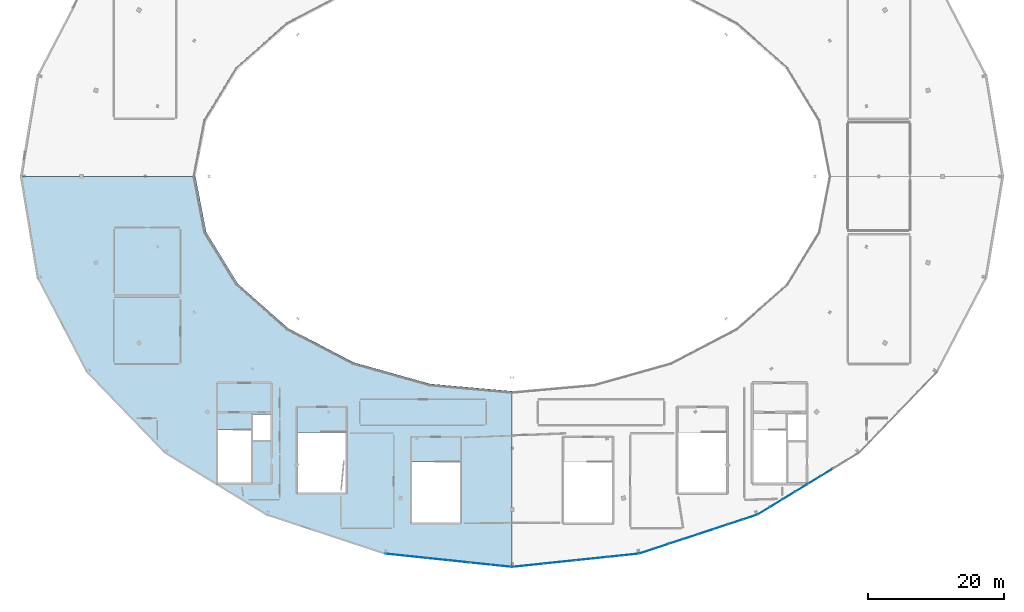
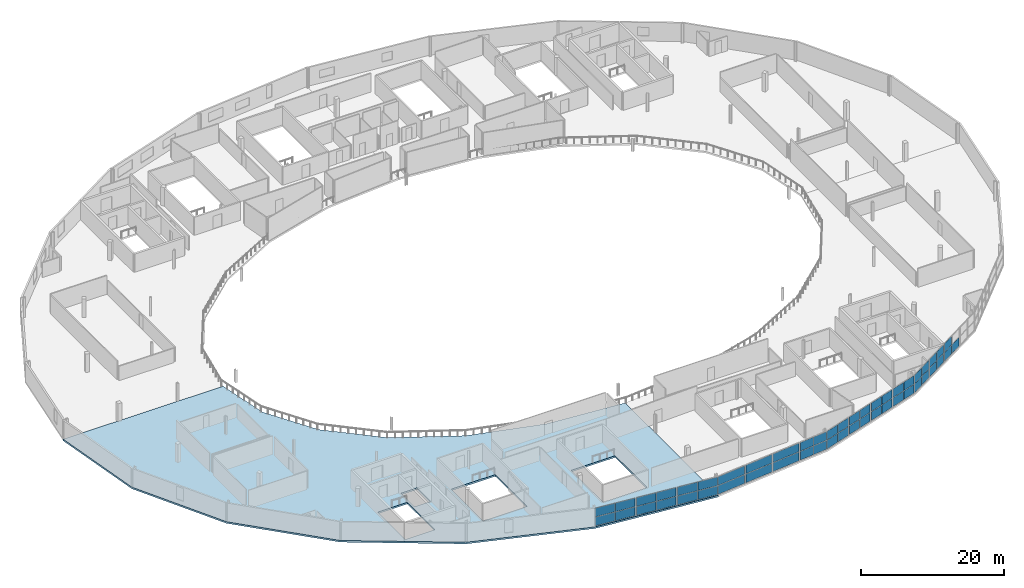
# One storey, part 22 of 35: 49 plates, 1 slab, 14 elements without a shape of their own.
"""IFC4 building model written with IfcOpenShell, lengths in metres."""

from ifc_helpers import new_model, si_unit, direction, frame, origin, origin_2d, place, context, subcontext, project, spatial, polyline, rectangle, outline, extrude, material, layer, layer_set, type_object, element, aggregate, save


model = new_model("IFC4")

# Units and contexts
model_context = context("Model", 3, precision=1e-05, world=origin(), true_north=direction((0.0, 1.0)))
body_context = subcontext(model_context, "Body", "Model", "MODEL_VIEW")
ifc_project = project(units=[si_unit("LENGTHUNIT", "METRE"), si_unit("AREAUNIT", "SQUARE_METRE"), si_unit("VOLUMEUNIT", "CUBIC_METRE"), si_unit("PLANEANGLEUNIT", "RADIAN"), si_unit("MASSUNIT", "GRAM", prefix="KILO")], contexts=[model_context])

# Site, building, storey
site_placement = place(None, origin())
site = spatial("IfcSite", under=ifc_project, at=site_placement, CompositionType="ELEMENT")
building_placement = place(site_placement, origin())
building = spatial("IfcBuilding", under=site, at=building_placement, Name="Kalgoora Escarpment Arena", CompositionType="ELEMENT")
storey_placement = place(building_placement, frame((0.0, 0.0, 23.39990234375)))
storey = spatial("IfcBuildingStorey", under=building, at=storey_placement, Name="L05", CompositionType="ELEMENT", Elevation=23.39990234375)

# Curtain wall, plates
ifc_material_1 = material(Name=" Champagne anodised aluminium & double-glazed low-E", Category="aluminium")
ifc_layer_1 = layer(ifc_material_1, 0.14990234375)
ifc_layer_set_1 = layer_set([ifc_layer_1], Name="CW-UNIT-05")
curtain_wall_type_1 = type_object("IfcCurtainWallType", Name="CW-UNIT-05", PredefinedType="NOTDEFINED", material=ifc_layer_set_1)
curtain_wall_1_placement = place(storey_placement, origin())
curtain_wall_1 = element("IfcCurtainWall", 1, at=curtain_wall_1_placement, inside=storey, type_object=curtain_wall_type_1, Name="L05 unitised facade curtain wall 184", PredefinedType="NOTDEFINED")
ifc_material_2 = material(Name="Low-E double-glazed insulated glass", Category="glass")
ifc_layer_2 = layer(ifc_material_2, 0.028076171875)
ifc_layer_set_2 = layer_set([ifc_layer_2], Name="PLT-CW-GLAZ-28")
plate_type_1 = type_object("IfcPlateType", Name="PLT-CW-GLAZ-28", PredefinedType="CURTAIN_PANEL", material=ifc_layer_set_2)
plate_1_placement = place(storey_placement, frame((134.9599609375, 18.14013671875, 0.080078125), z_axis=(0.0, 0.0, 1.0), x_axis=(-0.853527069701, -0.521048501858, 0.0)))
plate_1 = element("IfcPlate", 2, at=plate_1_placement, type_object=plate_type_1, Name="CW-05 panel 1.1", PredefinedType="CURTAIN_PANEL", context=body_context, shape_type="SweptSolid", body=[
    extrude(rectangle(XDim=2.028564453125, YDim=0.028076171875, at=origin_2d()), origin(), (0.0, 0.0, 1.0), 1.47998046875),
])
plate_2_placement = place(storey_placement, frame((134.9599609375, 18.14013671875, 1.6201171875), z_axis=(0.0, 0.0, 1.0), x_axis=(-0.853527069701, -0.521048501858, 0.0)))
plate_2 = element("IfcPlate", 3, at=plate_2_placement, type_object=plate_type_1, Name="CW-05 panel 1.2", PredefinedType="CURTAIN_PANEL", context=body_context, shape_type="SweptSolid", body=[
    extrude(rectangle(XDim=2.028564453125, YDim=0.028076171875, at=origin_2d()), origin(), (0.0, 0.0, 1.0), 1.4599609375),
])
plate_3_placement = place(storey_placement, frame((133.173095703125, 17.04931640625, 0.080078125), z_axis=(0.0, 0.0, 1.0), x_axis=(-0.853527069701, -0.521048501858, 0.0)))
plate_3 = element("IfcPlate", 4, at=plate_3_placement, type_object=plate_type_1, Name="CW-05 panel 2.1", PredefinedType="CURTAIN_PANEL", context=body_context, shape_type="SweptSolid", body=[
    extrude(rectangle(XDim=2.028564453125, YDim=0.028076171875, at=origin_2d()), origin(), (0.0, 0.0, 1.0), 1.47998046875),
])
plate_4_placement = place(storey_placement, frame((133.173095703125, 17.04931640625, 1.6201171875), z_axis=(0.0, 0.0, 1.0), x_axis=(-0.853527069701, -0.521048501858, 0.0)))
plate_4 = element("IfcPlate", 5, at=plate_4_placement, type_object=plate_type_1, Name="CW-05 panel 2.2", PredefinedType="CURTAIN_PANEL", context=body_context, shape_type="SweptSolid", body=[
    extrude(rectangle(XDim=2.028564453125, YDim=0.028076171875, at=origin_2d()), origin(), (0.0, 0.0, 1.0), 1.4599609375),
])
aggregate(curtain_wall_1, [plate_1, plate_2, plate_3, plate_4])

ifc_material_3 = material(Name=" Champagne anodised aluminium & double-glazed low-E", Category="aluminium")
ifc_layer_3 = layer(ifc_material_3, 0.157958984375)
ifc_layer_set_3 = layer_set([ifc_layer_3], Name="CW-UNIT-07")
curtain_wall_type_2 = type_object("IfcCurtainWallType", Name="CW-UNIT-07", PredefinedType="NOTDEFINED", material=ifc_layer_set_3)
curtain_wall_2_placement = place(storey_placement, origin())
curtain_wall_2 = element("IfcCurtainWall", 6, at=curtain_wall_2_placement, inside=storey, type_object=curtain_wall_type_2, Name="L05 unitised facade curtain wall 186", PredefinedType="NOTDEFINED")
plate_5_placement = place(storey_placement, frame((127.467529296875, 13.8701171875, 0.080078125), z_axis=(0.0, 0.0, 1.0), x_axis=(-0.949757785191, -0.312985861452, 0.0)))
plate_5 = element("IfcPlate", 7, at=plate_5_placement, type_object=plate_type_1, Name="CW-07 panel 1.1", PredefinedType="CURTAIN_PANEL", context=body_context, shape_type="SweptSolid", body=[
    extrude(rectangle(XDim=2.175537109375, YDim=0.028076171875, at=origin_2d()), origin(), (0.0, 0.0, 1.0), 1.47998046875),
])
plate_6_placement = place(storey_placement, frame((127.467529296875, 13.8701171875, 1.6201171875), z_axis=(0.0, 0.0, 1.0), x_axis=(-0.949757785191, -0.312985861452, 0.0)))
plate_6 = element("IfcPlate", 8, at=plate_6_placement, type_object=plate_type_1, Name="CW-07 panel 1.2", PredefinedType="CURTAIN_PANEL", context=body_context, shape_type="SweptSolid", body=[
    extrude(rectangle(XDim=2.175537109375, YDim=0.028076171875, at=origin_2d()), origin(), (0.0, 0.0, 1.0), 1.4599609375),
])
plate_7_placement = place(storey_placement, frame((125.339599609375, 13.168701171875, 0.080078125), z_axis=(0.0, 0.0, 1.0), x_axis=(-0.949757785191, -0.312985861452, 0.0)))
plate_7 = element("IfcPlate", 9, at=plate_7_placement, type_object=plate_type_1, Name="CW-07 panel 2.1", PredefinedType="CURTAIN_PANEL", context=body_context, shape_type="SweptSolid", body=[
    extrude(rectangle(XDim=2.175537109375, YDim=0.028076171875, at=origin_2d()), origin(), (0.0, 0.0, 1.0), 1.47998046875),
])
plate_8_placement = place(storey_placement, frame((125.339599609375, 13.168701171875, 1.6201171875), z_axis=(0.0, 0.0, 1.0), x_axis=(-0.949757785191, -0.312985861452, 0.0)))
plate_8 = element("IfcPlate", 10, at=plate_8_placement, type_object=plate_type_1, Name="CW-07 panel 2.2", PredefinedType="CURTAIN_PANEL", context=body_context, shape_type="SweptSolid", body=[
    extrude(rectangle(XDim=2.175537109375, YDim=0.028076171875, at=origin_2d()), origin(), (0.0, 0.0, 1.0), 1.4599609375),
])
aggregate(curtain_wall_2, [plate_5, plate_6, plate_7, plate_8])

ifc_material_4 = material(Name=" Champagne anodised aluminium & double-glazed low-E", Category="aluminium")
ifc_layer_4 = layer(ifc_material_4, 0.166015625)
ifc_layer_set_4 = layer_set([ifc_layer_4], Name="CW-UNIT-09")
curtain_wall_type_3 = type_object("IfcCurtainWallType", Name="CW-UNIT-09", PredefinedType="NOTDEFINED", material=ifc_layer_set_4)
curtain_wall_3_placement = place(storey_placement, origin())
curtain_wall_3 = element("IfcCurtainWall", 11, at=curtain_wall_3_placement, inside=storey, type_object=curtain_wall_type_3, Name="L05 unitised facade curtain wall 188", PredefinedType="NOTDEFINED")
plate_9_placement = place(storey_placement, frame((118.701171875, 10.981201171875, 0.080078125), z_axis=(0.0, 0.0, 1.0), x_axis=(-0.949763052265, -0.312969878028, 0.0)))
plate_9 = element("IfcPlate", 12, at=plate_9_placement, type_object=plate_type_1, Name="CW-09 panel 1.1", PredefinedType="CURTAIN_PANEL", context=body_context, shape_type="SweptSolid", body=[
    extrude(rectangle(XDim=2.150634765625, YDim=0.028076171875, at=origin_2d()), origin(), (0.0, 0.0, 1.0), 1.47998046875),
])
plate_10_placement = place(storey_placement, frame((118.701171875, 10.981201171875, 1.6201171875), z_axis=(0.0, 0.0, 1.0), x_axis=(-0.949763052265, -0.312969878028, 0.0)))
plate_10 = element("IfcPlate", 13, at=plate_10_placement, type_object=plate_type_1, Name="CW-09 panel 1.2", PredefinedType="CURTAIN_PANEL", context=body_context, shape_type="SweptSolid", body=[
    extrude(rectangle(XDim=2.150634765625, YDim=0.028076171875, at=origin_2d()), origin(), (0.0, 0.0, 1.0), 1.4599609375),
])
plate_11_placement = place(storey_placement, frame((116.596923828125, 10.287841796875, 0.080078125), z_axis=(0.0, 0.0, 1.0), x_axis=(-0.949763052265, -0.312969878028, 0.0)))
plate_11 = element("IfcPlate", 14, at=plate_11_placement, type_object=plate_type_1, Name="CW-09 panel 2.1", PredefinedType="CURTAIN_PANEL", context=body_context, shape_type="SweptSolid", body=[
    extrude(rectangle(XDim=2.150634765625, YDim=0.028076171875, at=origin_2d()), origin(), (0.0, 0.0, 1.0), 1.47998046875),
])
plate_12_placement = place(storey_placement, frame((116.596923828125, 10.287841796875, 1.6201171875), z_axis=(0.0, 0.0, 1.0), x_axis=(-0.949763052265, -0.312969878028, 0.0)))
plate_12 = element("IfcPlate", 15, at=plate_12_placement, type_object=plate_type_1, Name="CW-09 panel 2.2", PredefinedType="CURTAIN_PANEL", context=body_context, shape_type="SweptSolid", body=[
    extrude(rectangle(XDim=2.150634765625, YDim=0.028076171875, at=origin_2d()), origin(), (0.0, 0.0, 1.0), 1.4599609375),
])
aggregate(curtain_wall_3, [plate_9, plate_10, plate_11, plate_12])

ifc_material_5 = material(Name=" Champagne anodised aluminium & double-glazed low-E", Category="aluminium")
ifc_layer_5 = layer(ifc_material_5, 0.154052734375)
ifc_layer_set_5 = layer_set([ifc_layer_5], Name="CW-UNIT-11")
curtain_wall_type_4 = type_object("IfcCurtainWallType", Name="CW-UNIT-11", PredefinedType="NOTDEFINED", material=ifc_layer_set_5)
curtain_wall_4_placement = place(storey_placement, origin())
curtain_wall_4 = element("IfcCurtainWall", 16, at=curtain_wall_4_placement, inside=storey, type_object=curtain_wall_type_4, Name="L05 unitised facade curtain wall 190", PredefinedType="NOTDEFINED")
plate_13_placement = place(storey_placement, frame((109.952392578125, 8.359130859375, 0.0751953125), z_axis=(0.0, 0.0, 1.0), x_axis=(-0.994560810247, -0.10415754759, 0.0)))
plate_13 = element("IfcPlate", 17, at=plate_13_placement, type_object=plate_type_1, Name="CW-11 panel 1.1", PredefinedType="CURTAIN_PANEL", context=body_context, shape_type="SweptSolid", body=[
    extrude(rectangle(XDim=2.240234375, YDim=0.028076171875, at=origin_2d()), origin(), (0.0, 0.0, 1.0), 1.487548828125),
])
plate_14_placement = place(storey_placement, frame((109.952392578125, 8.359130859375, 1.61767578125), z_axis=(0.0, 0.0, 1.0), x_axis=(-0.994560810247, -0.10415754759, 0.0)))
plate_14 = element("IfcPlate", 18, at=plate_14_placement, type_object=plate_type_1, Name="CW-11 panel 1.2", PredefinedType="CURTAIN_PANEL", context=body_context, shape_type="SweptSolid", body=[
    extrude(rectangle(XDim=2.240234375, YDim=0.028076171875, at=origin_2d()), origin(), (0.0, 0.0, 1.0), 1.467529296875),
])
plate_15_placement = place(storey_placement, frame((107.664794921875, 8.11962890625, 0.0751953125), z_axis=(0.0, 0.0, 1.0), x_axis=(-0.994560810247, -0.10415754759, 0.0)))
plate_15 = element("IfcPlate", 19, at=plate_15_placement, type_object=plate_type_1, Name="CW-11 panel 2.1", PredefinedType="CURTAIN_PANEL", context=body_context, shape_type="SweptSolid", body=[
    extrude(rectangle(XDim=2.240234375, YDim=0.028076171875, at=origin_2d()), origin(), (0.0, 0.0, 1.0), 1.487548828125),
])
plate_16_placement = place(storey_placement, frame((107.664794921875, 8.11962890625, 1.61767578125), z_axis=(0.0, 0.0, 1.0), x_axis=(-0.994560810247, -0.10415754759, 0.0)))
plate_16 = element("IfcPlate", 20, at=plate_16_placement, type_object=plate_type_1, Name="CW-11 panel 2.2", PredefinedType="CURTAIN_PANEL", context=body_context, shape_type="SweptSolid", body=[
    extrude(rectangle(XDim=2.240234375, YDim=0.028076171875, at=origin_2d()), origin(), (0.0, 0.0, 1.0), 1.467529296875),
])
aggregate(curtain_wall_4, [plate_13, plate_14, plate_15, plate_16])

ifc_material_6 = material(Name=" Champagne anodised aluminium & double-glazed low-E", Category="aluminium")
ifc_layer_6 = layer(ifc_material_6, 0.162109375)
ifc_layer_set_6 = layer_set([ifc_layer_6], Name="CW-UNIT-13")
curtain_wall_type_5 = type_object("IfcCurtainWallType", Name="CW-UNIT-13", PredefinedType="NOTDEFINED", material=ifc_layer_set_6)
curtain_wall_5_placement = place(storey_placement, origin())
curtain_wall_5 = element("IfcCurtainWall", 21, at=curtain_wall_5_placement, inside=storey, type_object=curtain_wall_type_5, Name="L05 unitised facade curtain wall 192", PredefinedType="NOTDEFINED")
plate_17_placement = place(storey_placement, frame((99.41455078125, 7.25537109375, 0.0751953125), z_axis=(0.0, 0.0, 1.0), x_axis=(-0.994558216596, -0.104182310405, 0.0)))
plate_17 = element("IfcPlate", 22, at=plate_17_placement, type_object=plate_type_1, Name="CW-13 panel 1.1", PredefinedType="CURTAIN_PANEL", context=body_context, shape_type="SweptSolid", body=[
    extrude(rectangle(XDim=4.490234375, YDim=0.028076171875, at=origin_2d()), origin(), (0.0, 0.0, 1.0), 1.487548828125),
])
plate_18_placement = place(storey_placement, frame((99.41455078125, 7.25537109375, 1.61767578125), z_axis=(0.0, 0.0, 1.0), x_axis=(-0.994558216596, -0.104182310405, 0.0)))
plate_18 = element("IfcPlate", 23, at=plate_18_placement, type_object=plate_type_1, Name="CW-13 panel 1.2", PredefinedType="CURTAIN_PANEL", context=body_context, shape_type="SweptSolid", body=[
    extrude(rectangle(XDim=4.490234375, YDim=0.028076171875, at=origin_2d()), origin(), (0.0, 0.0, 1.0), 1.467529296875),
])
aggregate(curtain_wall_5, [plate_17, plate_18])

ifc_material_7 = material(Name=" Champagne anodised aluminium & double-glazed low-E", Category="aluminium")
ifc_layer_7 = layer(ifc_material_7, 0.14990234375)
ifc_layer_set_7 = layer_set([ifc_layer_7], Name="CW-UNIT-15")
curtain_wall_type_6 = type_object("IfcCurtainWallType", Name="CW-UNIT-15", PredefinedType="NOTDEFINED", material=ifc_layer_set_7)
curtain_wall_6_placement = place(storey_placement, origin())
curtain_wall_6 = element("IfcCurtainWall", 24, at=curtain_wall_6_placement, inside=storey, type_object=curtain_wall_type_6, Name="L05 unitised facade curtain wall 194", PredefinedType="NOTDEFINED")
plate_19_placement = place(storey_placement, frame((90.848388671875, 6.68310546875, 0.0751953125), z_axis=(0.0, 0.0, 1.0), x_axis=(-0.994558008069, 0.104184301056, 0.0)))
plate_19 = element("IfcPlate", 25, at=plate_19_placement, type_object=plate_type_1, Name="CW-15 panel 1.1", PredefinedType="CURTAIN_PANEL", context=body_context, shape_type="SweptSolid", body=[
    extrude(rectangle(XDim=3.025146484375, YDim=0.028076171875, at=origin_2d()), origin(), (0.0, 0.0, 1.0), 1.487548828125),
])
plate_20_placement = place(storey_placement, frame((90.848388671875, 6.68310546875, 1.61767578125), z_axis=(0.0, 0.0, 1.0), x_axis=(-0.994558008069, 0.104184301056, 0.0)))
plate_20 = element("IfcPlate", 26, at=plate_20_placement, type_object=plate_type_1, Name="CW-15 panel 1.2", PredefinedType="CURTAIN_PANEL", context=body_context, shape_type="SweptSolid", body=[
    extrude(rectangle(XDim=3.025146484375, YDim=0.028076171875, at=origin_2d()), origin(), (0.0, 0.0, 1.0), 1.467529296875),
])
plate_21_placement = place(storey_placement, frame((87.780029296875, 7.004638671875, 0.0751953125), z_axis=(0.0, 0.0, 1.0), x_axis=(-0.994558008069, 0.104184301056, 0.0)))
plate_21 = element("IfcPlate", 27, at=plate_21_placement, type_object=plate_type_1, Name="CW-15 panel 2.1", PredefinedType="CURTAIN_PANEL", context=body_context, shape_type="SweptSolid", body=[
    extrude(rectangle(XDim=3.025146484375, YDim=0.028076171875, at=origin_2d()), origin(), (0.0, 0.0, 1.0), 1.487548828125),
])
plate_22_placement = place(storey_placement, frame((87.780029296875, 7.004638671875, 1.61767578125), z_axis=(0.0, 0.0, 1.0), x_axis=(-0.994558008069, 0.104184301056, 0.0)))
plate_22 = element("IfcPlate", 28, at=plate_22_placement, type_object=plate_type_1, Name="CW-15 panel 2.2", PredefinedType="CURTAIN_PANEL", context=body_context, shape_type="SweptSolid", body=[
    extrude(rectangle(XDim=3.025146484375, YDim=0.028076171875, at=origin_2d()), origin(), (0.0, 0.0, 1.0), 1.467529296875),
])
aggregate(curtain_wall_6, [plate_19, plate_20, plate_21, plate_22])

ifc_material_8 = material(Name=" Champagne anodised aluminium & double-glazed low-E", Category="aluminium")
ifc_layer_8 = layer(ifc_material_8, 0.157958984375)
ifc_layer_set_8 = layer_set([ifc_layer_8], Name="CW-UNIT-17")
curtain_wall_type_7 = type_object("IfcCurtainWallType", Name="CW-UNIT-17", PredefinedType="NOTDEFINED", material=ifc_layer_set_8)
curtain_wall_7_placement = place(storey_placement, origin())
curtain_wall_7 = element("IfcCurtainWall", 29, at=curtain_wall_7_placement, inside=storey, type_object=curtain_wall_type_7, Name="L05 unitised facade curtain wall 196", PredefinedType="NOTDEFINED")
plate_23_placement = place(storey_placement, frame((78.306396484375, 7.996826171875, 0.0751953125), z_axis=(0.0, 0.0, 1.0), x_axis=(-0.994559671064, 0.104168424645, 0.0)))
plate_23 = element("IfcPlate", 30, at=plate_23_placement, type_object=plate_type_1, Name="CW-17 panel 1.1", PredefinedType="CURTAIN_PANEL", context=body_context, shape_type="SweptSolid", body=[
    extrude(rectangle(XDim=3.025146484375, YDim=0.028076171875, at=origin_2d()), origin(), (0.0, 0.0, 1.0), 1.487548828125),
])
plate_24_placement = place(storey_placement, frame((78.306396484375, 7.996826171875, 1.61767578125), z_axis=(0.0, 0.0, 1.0), x_axis=(-0.994559671064, 0.104168424645, 0.0)))
plate_24 = element("IfcPlate", 31, at=plate_24_placement, type_object=plate_type_1, Name="CW-17 panel 1.2", PredefinedType="CURTAIN_PANEL", context=body_context, shape_type="SweptSolid", body=[
    extrude(rectangle(XDim=3.025146484375, YDim=0.028076171875, at=origin_2d()), origin(), (0.0, 0.0, 1.0), 1.467529296875),
])
plate_25_placement = place(storey_placement, frame((75.238037109375, 8.318115234375, 0.0751953125), z_axis=(0.0, 0.0, 1.0), x_axis=(-0.994559671064, 0.104168424645, 0.0)))
plate_25 = element("IfcPlate", 32, at=plate_25_placement, type_object=plate_type_1, Name="CW-17 panel 2.1", PredefinedType="CURTAIN_PANEL", context=body_context, shape_type="SweptSolid", body=[
    extrude(rectangle(XDim=3.025146484375, YDim=0.028076171875, at=origin_2d()), origin(), (0.0, 0.0, 1.0), 1.487548828125),
])
plate_26_placement = place(storey_placement, frame((75.238037109375, 8.318115234375, 1.61767578125), z_axis=(0.0, 0.0, 1.0), x_axis=(-0.994559671064, 0.104168424645, 0.0)))
plate_26 = element("IfcPlate", 33, at=plate_26_placement, type_object=plate_type_1, Name="CW-17 panel 2.2", PredefinedType="CURTAIN_PANEL", context=body_context, shape_type="SweptSolid", body=[
    extrude(rectangle(XDim=3.025146484375, YDim=0.028076171875, at=origin_2d()), origin(), (0.0, 0.0, 1.0), 1.467529296875),
])
aggregate(curtain_wall_7, [plate_23, plate_24, plate_25, plate_26])

ifc_material_9 = material(Name=" Champagne anodised aluminium & double-glazed low-E", Category="aluminium")
ifc_layer_9 = layer(ifc_material_9, 0.166015625)
ifc_layer_set_9 = layer_set([ifc_layer_9], Name="CW-UNIT-04")
curtain_wall_type_8 = type_object("IfcCurtainWallType", Name="CW-UNIT-04", PredefinedType="NOTDEFINED", material=ifc_layer_set_9)
curtain_wall_8_placement = place(storey_placement, origin())
curtain_wall_8 = element("IfcCurtainWall", 34, at=curtain_wall_8_placement, inside=storey, type_object=curtain_wall_type_8, Name="L05 unitised facade curtain wall 183", PredefinedType="NOTDEFINED")
ifc_material_10 = material(Name="Acoustic laminated solar-control glass", Category="glass")
ifc_layer_10 = layer(ifc_material_10, 0.033935546875)
ifc_layer_set_10 = layer_set([ifc_layer_10], Name="PLT-CW-GLAZ-34")
plate_type_2 = type_object("IfcPlateType", Name="PLT-CW-GLAZ-34", PredefinedType="CURTAIN_PANEL", material=ifc_layer_set_10)
plate_27_placement = place(storey_placement, frame((138.739501953125, 20.447509765625, 0.080078125), z_axis=(0.0, 0.0, 1.0), x_axis=(-0.853516077733, -0.52106650732, 0.0)))
plate_27 = element("IfcPlate", 35, at=plate_27_placement, type_object=plate_type_2, Name="CW-04 panel 1.1", PredefinedType="CURTAIN_PANEL", context=body_context, shape_type="SweptSolid", body=[
    extrude(rectangle(XDim=2.10205078125, YDim=0.033935546875, at=origin_2d()), origin(), (0.0, 0.0, 1.0), 1.47998046875),
])
plate_28_placement = place(storey_placement, frame((136.889892578125, 19.318359375, 0.080078125), z_axis=(0.0, 0.0, 1.0), x_axis=(-0.853516077733, -0.52106650732, 0.0)))
plate_28 = element("IfcPlate", 36, at=plate_28_placement, type_object=plate_type_2, Name="CW-04 panel 2.1", PredefinedType="CURTAIN_PANEL", context=body_context, shape_type="SweptSolid", body=[
    extrude(rectangle(XDim=2.10205078125, YDim=0.033935546875, at=origin_2d()), origin(), (0.0, 0.0, 1.0), 1.47998046875),
])
plate_29_placement = place(storey_placement, frame((136.889892578125, 19.318359375, 1.6201171875), z_axis=(0.0, 0.0, 1.0), x_axis=(-0.853516077733, -0.52106650732, 0.0)))
plate_29 = element("IfcPlate", 37, at=plate_29_placement, type_object=plate_type_2, Name="CW-04 panel 2.2", PredefinedType="CURTAIN_PANEL", context=body_context, shape_type="SweptSolid", body=[
    extrude(rectangle(XDim=2.10205078125, YDim=0.033935546875, at=origin_2d()), origin(), (0.0, 0.0, 1.0), 1.4599609375),
])
aggregate(curtain_wall_8, [plate_27, plate_28, plate_29])

ifc_material_11 = material(Name=" Champagne anodised aluminium & double-glazed low-E", Category="aluminium")
ifc_layer_11 = layer(ifc_material_11, 0.154052734375)
ifc_layer_set_11 = layer_set([ifc_layer_11], Name="CW-UNIT-06")
curtain_wall_type_9 = type_object("IfcCurtainWallType", Name="CW-UNIT-06", PredefinedType="NOTDEFINED", material=ifc_layer_set_11)
curtain_wall_9_placement = place(storey_placement, origin())
curtain_wall_9 = element("IfcCurtainWall", 38, at=curtain_wall_9_placement, inside=storey, type_object=curtain_wall_type_9, Name="L05 unitised facade curtain wall 185", PredefinedType="NOTDEFINED")
plate_30_placement = place(storey_placement, frame((131.245361328125, 15.87255859375, 0.080078125), z_axis=(0.0, 0.0, 1.0), x_axis=(-0.853520684485, -0.521058961304, 0.0)))
plate_30 = element("IfcPlate", 39, at=plate_30_placement, type_object=plate_type_2, Name="CW-06 panel 1.1", PredefinedType="CURTAIN_PANEL", context=body_context, shape_type="SweptSolid", body=[
    extrude(rectangle(XDim=2.028564453125, YDim=0.033935546875, at=origin_2d()), origin(), (0.0, 0.0, 1.0), 1.47998046875),
])
plate_31_placement = place(storey_placement, frame((131.245361328125, 15.87255859375, 1.6201171875), z_axis=(0.0, 0.0, 1.0), x_axis=(-0.853520684485, -0.521058961304, 0.0)))
plate_31 = element("IfcPlate", 40, at=plate_31_placement, type_object=plate_type_2, Name="CW-06 panel 1.2", PredefinedType="CURTAIN_PANEL", context=body_context, shape_type="SweptSolid", body=[
    extrude(rectangle(XDim=2.028564453125, YDim=0.033935546875, at=origin_2d()), origin(), (0.0, 0.0, 1.0), 1.4599609375),
])
plate_32_placement = place(storey_placement, frame((129.458740234375, 14.78173828125, 0.080078125), z_axis=(0.0, 0.0, 1.0), x_axis=(-0.853520684485, -0.521058961304, 0.0)))
plate_32 = element("IfcPlate", 41, at=plate_32_placement, type_object=plate_type_2, Name="CW-06 panel 2.1", PredefinedType="CURTAIN_PANEL", context=body_context, shape_type="SweptSolid", body=[
    extrude(rectangle(XDim=2.028564453125, YDim=0.033935546875, at=origin_2d()), origin(), (0.0, 0.0, 1.0), 1.47998046875),
])
plate_33_placement = place(storey_placement, frame((129.458740234375, 14.78173828125, 1.6201171875), z_axis=(0.0, 0.0, 1.0), x_axis=(-0.853520684485, -0.521058961304, 0.0)))
plate_33 = element("IfcPlate", 42, at=plate_33_placement, type_object=plate_type_2, Name="CW-06 panel 2.2", PredefinedType="CURTAIN_PANEL", context=body_context, shape_type="SweptSolid", body=[
    extrude(rectangle(XDim=2.028564453125, YDim=0.033935546875, at=origin_2d()), origin(), (0.0, 0.0, 1.0), 1.4599609375),
])
aggregate(curtain_wall_9, [plate_30, plate_31, plate_32, plate_33])

ifc_material_12 = material(Name=" Champagne anodised aluminium & double-glazed low-E", Category="aluminium")
ifc_layer_12 = layer(ifc_material_12, 0.162109375)
ifc_layer_set_12 = layer_set([ifc_layer_12], Name="CW-UNIT-08")
curtain_wall_type_10 = type_object("IfcCurtainWallType", Name="CW-UNIT-08", PredefinedType="NOTDEFINED", material=ifc_layer_set_12)
curtain_wall_10_placement = place(storey_placement, origin())
curtain_wall_10 = element("IfcCurtainWall", 43, at=curtain_wall_10_placement, inside=storey, type_object=curtain_wall_type_10, Name="L05 unitised facade curtain wall 187", PredefinedType="NOTDEFINED")
plate_34_placement = place(storey_placement, frame((123.066650390625, 12.419677734375, 0.080078125), z_axis=(0.0, 0.0, 1.0), x_axis=(-0.94975644114, -0.312989939956, 0.0)))
plate_34 = element("IfcPlate", 44, at=plate_34_placement, type_object=plate_type_2, Name="CW-08 panel 1.1", PredefinedType="CURTAIN_PANEL", context=body_context, shape_type="SweptSolid", body=[
    extrude(rectangle(XDim=2.150634765625, YDim=0.033935546875, at=origin_2d()), origin(), (0.0, 0.0, 1.0), 1.47998046875),
])
plate_35_placement = place(storey_placement, frame((123.066650390625, 12.419677734375, 1.6201171875), z_axis=(0.0, 0.0, 1.0), x_axis=(-0.94975644114, -0.312989939956, 0.0)))
plate_35 = element("IfcPlate", 45, at=plate_35_placement, type_object=plate_type_2, Name="CW-08 panel 1.2", PredefinedType="CURTAIN_PANEL", context=body_context, shape_type="SweptSolid", body=[
    extrude(rectangle(XDim=2.150634765625, YDim=0.033935546875, at=origin_2d()), origin(), (0.0, 0.0, 1.0), 1.4599609375),
])
plate_36_placement = place(storey_placement, frame((120.962158203125, 11.726318359375, 0.080078125), z_axis=(0.0, 0.0, 1.0), x_axis=(-0.94975644114, -0.312989939956, 0.0)))
plate_36 = element("IfcPlate", 46, at=plate_36_placement, type_object=plate_type_2, Name="CW-08 panel 2.1", PredefinedType="CURTAIN_PANEL", context=body_context, shape_type="SweptSolid", body=[
    extrude(rectangle(XDim=2.150634765625, YDim=0.033935546875, at=origin_2d()), origin(), (0.0, 0.0, 1.0), 1.47998046875),
])
plate_37_placement = place(storey_placement, frame((120.962158203125, 11.726318359375, 1.6201171875), z_axis=(0.0, 0.0, 1.0), x_axis=(-0.94975644114, -0.312989939956, 0.0)))
plate_37 = element("IfcPlate", 47, at=plate_37_placement, type_object=plate_type_2, Name="CW-08 panel 2.2", PredefinedType="CURTAIN_PANEL", context=body_context, shape_type="SweptSolid", body=[
    extrude(rectangle(XDim=2.150634765625, YDim=0.033935546875, at=origin_2d()), origin(), (0.0, 0.0, 1.0), 1.4599609375),
])
aggregate(curtain_wall_10, [plate_34, plate_35, plate_36, plate_37])

ifc_material_13 = material(Name=" Champagne anodised aluminium & double-glazed low-E", Category="aluminium")
ifc_layer_13 = layer(ifc_material_13, 0.14990234375)
ifc_layer_set_13 = layer_set([ifc_layer_13], Name="CW-UNIT-10")
curtain_wall_type_11 = type_object("IfcCurtainWallType", Name="CW-UNIT-10", PredefinedType="NOTDEFINED", material=ifc_layer_set_13)
curtain_wall_11_placement = place(storey_placement, origin())
curtain_wall_11 = element("IfcCurtainWall", 48, at=curtain_wall_11_placement, inside=storey, type_object=curtain_wall_type_11, Name="L05 unitised facade curtain wall 189", PredefinedType="NOTDEFINED")
plate_38_placement = place(storey_placement, frame((114.323974609375, 9.538818359375, 0.080078125), z_axis=(0.0, 0.0, 1.0), x_axis=(-0.949759939888, -0.312979322933, 0.0)))
plate_38 = element("IfcPlate", 49, at=plate_38_placement, type_object=plate_type_2, Name="CW-10 panel 1.1", PredefinedType="CURTAIN_PANEL", context=body_context, shape_type="SweptSolid", body=[
    extrude(rectangle(XDim=2.175537109375, YDim=0.033935546875, at=origin_2d()), origin(), (0.0, 0.0, 1.0), 1.47998046875),
])
plate_39_placement = place(storey_placement, frame((114.323974609375, 9.538818359375, 1.6201171875), z_axis=(0.0, 0.0, 1.0), x_axis=(-0.949759939888, -0.312979322933, 0.0)))
plate_39 = element("IfcPlate", 50, at=plate_39_placement, type_object=plate_type_2, Name="CW-10 panel 1.2", PredefinedType="CURTAIN_PANEL", context=body_context, shape_type="SweptSolid", body=[
    extrude(rectangle(XDim=2.175537109375, YDim=0.033935546875, at=origin_2d()), origin(), (0.0, 0.0, 1.0), 1.4599609375),
])
plate_40_placement = place(storey_placement, frame((112.19580078125, 8.83740234375, 0.080078125), z_axis=(0.0, 0.0, 1.0), x_axis=(-0.949759939888, -0.312979322933, 0.0)))
plate_40 = element("IfcPlate", 51, at=plate_40_placement, type_object=plate_type_2, Name="CW-10 panel 2.1", PredefinedType="CURTAIN_PANEL", context=body_context, shape_type="SweptSolid", body=[
    extrude(rectangle(XDim=2.175537109375, YDim=0.033935546875, at=origin_2d()), origin(), (0.0, 0.0, 1.0), 1.47998046875),
])
plate_41_placement = place(storey_placement, frame((112.19580078125, 8.83740234375, 1.6201171875), z_axis=(0.0, 0.0, 1.0), x_axis=(-0.949759939888, -0.312979322933, 0.0)))
plate_41 = element("IfcPlate", 52, at=plate_41_placement, type_object=plate_type_2, Name="CW-10 panel 2.2", PredefinedType="CURTAIN_PANEL", context=body_context, shape_type="SweptSolid", body=[
    extrude(rectangle(XDim=2.175537109375, YDim=0.033935546875, at=origin_2d()), origin(), (0.0, 0.0, 1.0), 1.4599609375),
])
aggregate(curtain_wall_11, [plate_38, plate_39, plate_40, plate_41])

ifc_material_14 = material(Name=" Champagne anodised aluminium & double-glazed low-E", Category="aluminium")
ifc_layer_14 = layer(ifc_material_14, 0.157958984375)
ifc_layer_set_14 = layer_set([ifc_layer_14], Name="CW-UNIT-12")
curtain_wall_type_12 = type_object("IfcCurtainWallType", Name="CW-UNIT-12", PredefinedType="NOTDEFINED", material=ifc_layer_set_14)
curtain_wall_12_placement = place(storey_placement, origin())
curtain_wall_12 = element("IfcCurtainWall", 53, at=curtain_wall_12_placement, inside=storey, type_object=curtain_wall_type_12, Name="L05 unitised facade curtain wall 191", PredefinedType="NOTDEFINED")
plate_42_placement = place(storey_placement, frame((104.09912109375, 7.74609375, 0.0751953125), z_axis=(0.0, 0.0, 1.0), x_axis=(-0.994558216596, -0.104182310405, 0.0)))
plate_42 = element("IfcPlate", 54, at=plate_42_placement, type_object=plate_type_2, Name="CW-12 panel 1.1", PredefinedType="CURTAIN_PANEL", context=body_context, shape_type="SweptSolid", body=[
    extrude(rectangle(XDim=4.490234375, YDim=0.033935546875, at=origin_2d()), origin(), (0.0, 0.0, 1.0), 1.487548828125),
])
plate_43_placement = place(storey_placement, frame((104.09912109375, 7.74609375, 1.61767578125), z_axis=(0.0, 0.0, 1.0), x_axis=(-0.994558216596, -0.104182310405, 0.0)))
plate_43 = element("IfcPlate", 55, at=plate_43_placement, type_object=plate_type_2, Name="CW-12 panel 1.2", PredefinedType="CURTAIN_PANEL", context=body_context, shape_type="SweptSolid", body=[
    extrude(rectangle(XDim=4.490234375, YDim=0.033935546875, at=origin_2d()), origin(), (0.0, 0.0, 1.0), 1.467529296875),
])
aggregate(curtain_wall_12, [plate_42, plate_43])

ifc_material_15 = material(Name=" Champagne anodised aluminium & double-glazed low-E", Category="aluminium")
ifc_layer_15 = layer(ifc_material_15, 0.166015625)
ifc_layer_set_15 = layer_set([ifc_layer_15], Name="CW-UNIT-14")
curtain_wall_type_13 = type_object("IfcCurtainWallType", Name="CW-UNIT-14", PredefinedType="NOTDEFINED", material=ifc_layer_set_15)
curtain_wall_13_placement = place(storey_placement, origin())
curtain_wall_13 = element("IfcCurtainWall", 56, at=curtain_wall_13_placement, inside=storey, type_object=curtain_wall_type_13, Name="L05 unitised facade curtain wall 193", PredefinedType="NOTDEFINED")
plate_44_placement = place(storey_placement, frame((94.704833984375, 6.761962890625, 0.0751953125), z_axis=(0.0, 0.0, 1.0), x_axis=(-0.994558587162, -0.104178772797, 0.0)))
plate_44 = element("IfcPlate", 57, at=plate_44_placement, type_object=plate_type_2, Name="CW-14 panel 1.1", PredefinedType="CURTAIN_PANEL", context=body_context, shape_type="SweptSolid", body=[
    extrude(rectangle(XDim=4.540283203125, YDim=0.033935546875, at=origin_2d()), origin(), (0.0, 0.0, 1.0), 1.487548828125),
])
plate_45_placement = place(storey_placement, frame((94.704833984375, 6.761962890625, 1.61767578125), z_axis=(0.0, 0.0, 1.0), x_axis=(-0.994558587162, -0.104178772797, 0.0)))
plate_45 = element("IfcPlate", 58, at=plate_45_placement, type_object=plate_type_2, Name="CW-14 panel 1.2", PredefinedType="CURTAIN_PANEL", context=body_context, shape_type="SweptSolid", body=[
    extrude(rectangle(XDim=4.540283203125, YDim=0.033935546875, at=origin_2d()), origin(), (0.0, 0.0, 1.0), 1.467529296875),
])
aggregate(curtain_wall_13, [plate_44, plate_45])

ifc_material_16 = material(Name=" Champagne anodised aluminium & double-glazed low-E", Category="aluminium")
ifc_layer_16 = layer(ifc_material_16, 0.154052734375)
ifc_layer_set_16 = layer_set([ifc_layer_16], Name="CW-UNIT-16")
curtain_wall_type_14 = type_object("IfcCurtainWallType", Name="CW-UNIT-16", PredefinedType="NOTDEFINED", material=ifc_layer_set_16)
curtain_wall_14_placement = place(storey_placement, origin())
curtain_wall_14 = element("IfcCurtainWall", 59, at=curtain_wall_14_placement, inside=storey, type_object=curtain_wall_type_14, Name="L05 unitised facade curtain wall 195", PredefinedType="NOTDEFINED")
plate_46_placement = place(storey_placement, frame((84.56494140625, 7.34130859375, 0.0751953125), z_axis=(0.0, 0.0, 1.0), x_axis=(-0.994559579029, 0.104169303359, 0.0)))
plate_46 = element("IfcPlate", 60, at=plate_46_placement, type_object=plate_type_2, Name="CW-16 panel 1.1", PredefinedType="CURTAIN_PANEL", context=body_context, shape_type="SweptSolid", body=[
    extrude(rectangle(XDim=3.000244140625, YDim=0.033935546875, at=origin_2d()), origin(), (0.0, 0.0, 1.0), 1.487548828125),
])
plate_47_placement = place(storey_placement, frame((84.56494140625, 7.34130859375, 1.61767578125), z_axis=(0.0, 0.0, 1.0), x_axis=(-0.994559579029, 0.104169303359, 0.0)))
plate_47 = element("IfcPlate", 61, at=plate_47_placement, type_object=plate_type_2, Name="CW-16 panel 1.2", PredefinedType="CURTAIN_PANEL", context=body_context, shape_type="SweptSolid", body=[
    extrude(rectangle(XDim=3.000244140625, YDim=0.033935546875, at=origin_2d()), origin(), (0.0, 0.0, 1.0), 1.467529296875),
])
plate_48_placement = place(storey_placement, frame((81.521484375, 7.66015625, 0.0751953125), z_axis=(0.0, 0.0, 1.0), x_axis=(-0.994559579029, 0.104169303359, 0.0)))
plate_48 = element("IfcPlate", 62, at=plate_48_placement, type_object=plate_type_2, Name="CW-16 panel 2.1", PredefinedType="CURTAIN_PANEL", context=body_context, shape_type="SweptSolid", body=[
    extrude(rectangle(XDim=3.000244140625, YDim=0.033935546875, at=origin_2d()), origin(), (0.0, 0.0, 1.0), 1.487548828125),
])
plate_49_placement = place(storey_placement, frame((81.521484375, 7.66015625, 1.61767578125), z_axis=(0.0, 0.0, 1.0), x_axis=(-0.994559579029, 0.104169303359, 0.0)))
plate_49 = element("IfcPlate", 63, at=plate_49_placement, type_object=plate_type_2, Name="CW-16 panel 2.2", PredefinedType="CURTAIN_PANEL", context=body_context, shape_type="SweptSolid", body=[
    extrude(rectangle(XDim=3.000244140625, YDim=0.033935546875, at=origin_2d()), origin(), (0.0, 0.0, 1.0), 1.467529296875),
])
aggregate(curtain_wall_14, [plate_46, plate_47, plate_48, plate_49])

# Slab
ifc_material_17 = material(Name="Concrete N40 (fc' 40 MPa)", Category="concrete")
ifc_layer_17 = layer(ifc_material_17, 0.2900390625)
ifc_layer_set_17 = layer_set([ifc_layer_17], Name="SLB-MEDIA-290")
slab_type = type_object("IfcSlabType", Name="SLB-MEDIA-290", PredefinedType="FLOOR", material=ifc_layer_set_17)
slab_placement = place(storey_placement, frame((0.0, 0.0, -0.289794921875)))
element("IfcSlab", 64, at=slab_placement, inside=storey, type_object=slab_type, Name="L05 concourse ring SW floor slab", PredefinedType="FLOOR", context=body_context, shape_type="SweptSolid", body=[
    extrude(outline(polyline([(73.66162109375, 8.36279296875), (56.199951171875, 14.116943359375), (41.20556640625, 23.2705078125), (29.69970703125, 35.199951171875), (22.467041015625, 49.092041015625), (20.0, 64.0), (45.800048828125, 64.0), (47.387939453125, 55.8212890625), (52.043212890625, 48.199951171875), (59.44873046875, 41.655517578125), (69.10009765625, 36.633544921875), (80.339111328125, 33.476806640625), (92.39990234375, 32.39990234375), (92.39990234375, 6.39990234375), (73.66162109375, 8.36279296875)]), holes=[polyline([(77.64990234375, 21.949951171875), (77.64990234375, 13.050048828125), (84.75, 13.050048828125), (84.75, 21.949951171875), (77.64990234375, 21.949951171875)]), polyline([(60.85009765625, 26.35009765625), (60.85009765625, 17.449951171875), (67.949951171875, 17.449951171875), (67.949951171875, 26.35009765625), (60.85009765625, 26.35009765625)]), polyline([(49.14990234375, 26.64990234375), (49.14990234375, 18.949951171875), (53.949951171875, 18.949951171875), (53.949951171875, 26.64990234375), (49.14990234375, 26.64990234375)]), polyline([(54.25, 29.0), (54.25, 25.199951171875), (56.85009765625, 25.199951171875), (56.85009765625, 29.0), (54.25, 29.0)])]), origin(), (0.0, 0.0, 1.0), 0.289794921875),
])

save(model, "model.ifc")
